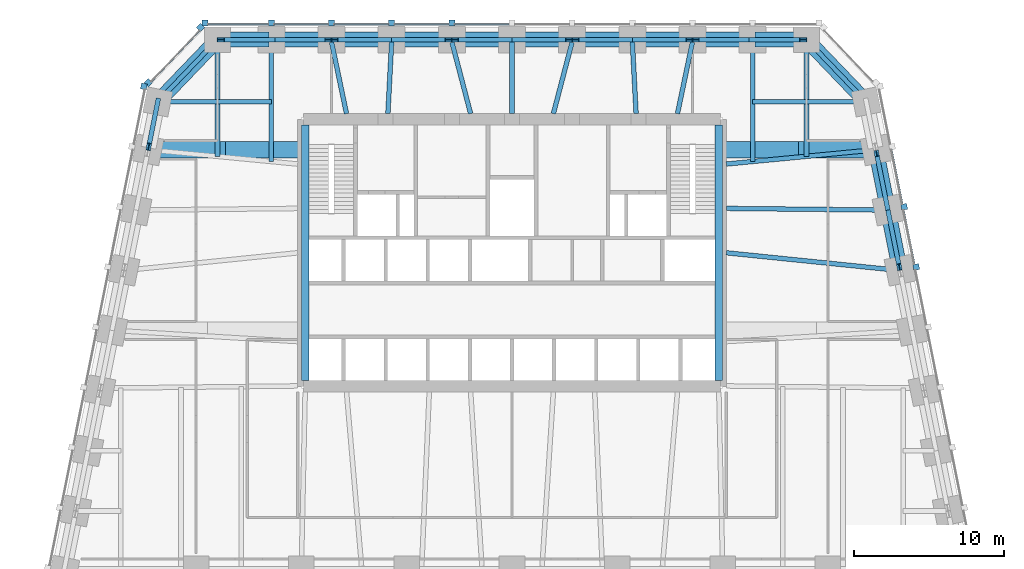
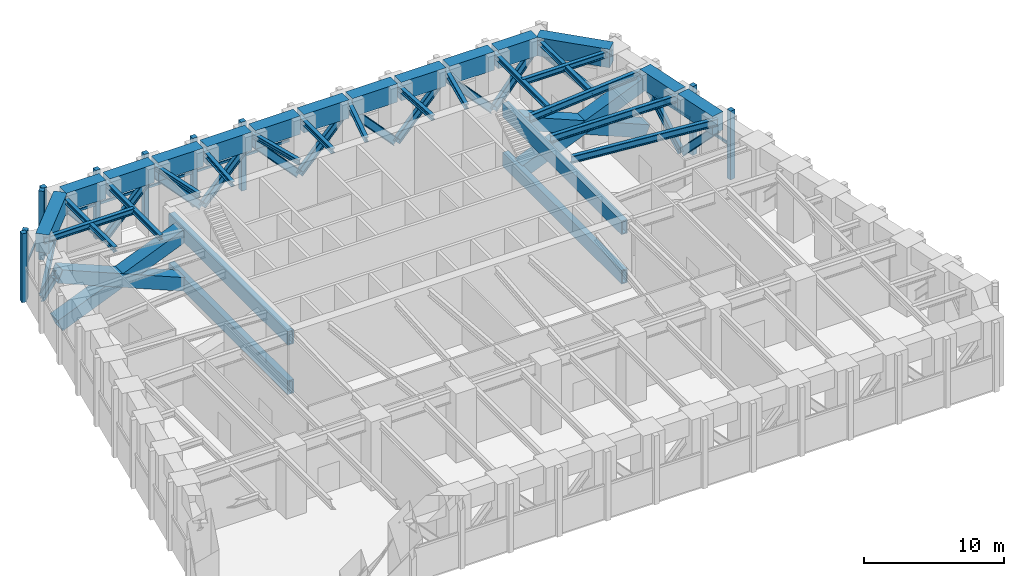
# One storey, part 4 of 9: 37 members, 34 beams, 4 elements without a shape of their own.
"""IFC4 building model written with IfcOpenShell, lengths in metres."""

from ifc_helpers import new_model, si_unit, direction, frame, origin, origin_2d, place, context, subcontext, project, spatial, rectangle, hollow_rectangle, i_section, extrude, material, material_profile, profile_set, type_object, element, aggregate, save


model = new_model("IFC4")

# Units and contexts
model_context = context("Model", 3, precision=1e-05, world=origin(), true_north=direction((0.0, 1.0)))
body_context = subcontext(model_context, "Body", "Model", "MODEL_VIEW")
ifc_project = project(units=[si_unit("LENGTHUNIT", "METRE"), si_unit("AREAUNIT", "SQUARE_METRE"), si_unit("VOLUMEUNIT", "CUBIC_METRE"), si_unit("PLANEANGLEUNIT", "RADIAN"), si_unit("MASSUNIT", "GRAM", prefix="KILO")], contexts=[model_context])

# Site, building, storey
site_placement = place(None, origin())
site = spatial("IfcSite", under=ifc_project, at=site_placement, CompositionType="ELEMENT")
building_placement = place(site_placement, origin())
building = spatial("IfcBuilding", under=site, at=building_placement, Name="Isbrekke Arena Tower", CompositionType="ELEMENT")
storey_placement = place(building_placement, frame((0.0, 0.0, 167.0)))
storey = spatial("IfcBuildingStorey", under=building, at=storey_placement, Name="L38", CompositionType="ELEMENT", Elevation=167.0)

# Beams
ifc_material_1 = material(Name="Steel S355", Category="steel")
ifc_material_profile_1 = material_profile(ifc_material_1, i_section(OverallWidth=0.304931640625, OverallDepth=0.6201171875, WebThickness=0.02099609375, FlangeThickness=0.0400390625, FilletRadius=0.027099609375, at=origin_2d()), Name="HEM 600")
ifc_profile_set_1 = profile_set([ifc_material_profile_1], Name="Steel S355")
beam_type_1 = type_object("IfcBeamType", Name="B4 HEM 600", PredefinedType="BEAM", material=ifc_profile_set_1)
beam_1_placement = place(storey_placement, frame((25.625732421875, 13.83984375, 5.489990234375), z_axis=(-0.994839729543, 0.101458920373, 0.0), x_axis=(-0.101458920373, -0.994839729543, 0.0)))
element("IfcBeam", 1, at=beam_1_placement, inside=storey, type_object=beam_type_1, Name="B4 beam E-E08 L38", PredefinedType="BEAM", context=body_context, shape_type="SweptSolid", body=[
    extrude(i_section(OverallWidth=0.304931640625, OverallDepth=0.6201171875, WebThickness=0.02099609375, FlangeThickness=0.0400390625, FilletRadius=0.027099609375, at=origin_2d()), origin(), (0.0, 0.0, 1.0), 11.434814453125),
])
beam_2_placement = place(storey_placement, frame((24.83935546875, 17.838134765625, 5.489990234375), z_axis=(-0.999944255029, 0.010558732623, 0.0), x_axis=(-0.010558732623, -0.999944255029, 0.0)))
element("IfcBeam", 2, at=beam_2_placement, inside=storey, type_object=beam_type_1, Name="B4 beam E-E09 L38", PredefinedType="BEAM", context=body_context, shape_type="SweptSolid", body=[
    extrude(i_section(OverallWidth=0.304931640625, OverallDepth=0.6201171875, WebThickness=0.02099609375, FlangeThickness=0.0400390625, FilletRadius=0.027099609375, at=origin_2d()), origin(), (0.0, 0.0, 1.0), 10.58984375),
])
beam_3_placement = place(storey_placement, frame((24.026611328125, 21.8369140625, 5.489990234375), z_axis=(-0.995438539788, -0.095404997271, 0.0), x_axis=(0.095404997271, -0.995438539788, 0.0)))
element("IfcBeam", 3, at=beam_3_placement, inside=storey, type_object=beam_type_1, Name="B4 beam E-E10 L38", PredefinedType="BEAM", context=body_context, shape_type="SweptSolid", body=[
    extrude(i_section(OverallWidth=0.304931640625, OverallDepth=0.6201171875, WebThickness=0.02099609375, FlangeThickness=0.0400390625, FilletRadius=0.027099609375, at=origin_2d()), origin(), (0.0, 0.0, 1.0), 9.821533203125),
])
ifc_material_2 = material(Name="Steel S355", Category="steel")
ifc_material_profile_2 = material_profile(ifc_material_2, i_section(OverallWidth=0.305908203125, OverallDepth=0.52392578125, WebThickness=0.02099609375, FlangeThickness=0.0400390625, FilletRadius=0.027099609375, at=origin_2d()), Name="HEM 500")
ifc_profile_set_2 = profile_set([ifc_material_profile_2], Name="Steel S355")
beam_type_2 = type_object("IfcBeamType", Name="B5 HEM 500", PredefinedType="BEAM", material=ifc_profile_set_2)
for number, where, z_axis, x_axis, name in (
    (4, (23.40283203125, 25.029296875, 5.5380859375), (-1.0, 0.0, 0.0), (0.0, -1.0, 0.0), "B5 beam E-E11 L38"),
    (5, (-23.40283203125, 25.029296875, 5.5380859375), (1.0, 0.0, 0.0), (0.0, 1.0, 0.0), "B5 beam E-W01 L38"),
):
    element("IfcBeam", number, at=place(storey_placement, frame(where, z_axis=z_axis, x_axis=x_axis)), inside=storey, type_object=beam_type_2, Name=name, PredefinedType="BEAM", context=body_context, shape_type="SweptSolid", body=[
        extrude(i_section(OverallWidth=0.305908203125, OverallDepth=0.52392578125, WebThickness=0.02099609375, FlangeThickness=0.0400390625, FilletRadius=0.027099609375, at=origin_2d()), origin(), (0.0, 0.0, 1.0), 7.40283203125),
    ])
ifc_material_3 = material(Name="Steel S355", Category="steel")
ifc_material_profile_3 = material_profile(ifc_material_3, i_section(OverallWidth=0.306884765625, OverallDepth=0.431884765625, WebThickness=0.02099609375, FlangeThickness=0.0400390625, FilletRadius=0.027099609375, at=origin_2d()), Name="HEM 400")
ifc_profile_set_3 = profile_set([ifc_material_profile_3], Name="Steel S355")
beam_type_3 = type_object("IfcBeamType", Name="B6 HEM 400", PredefinedType="BEAM", material=ifc_profile_set_3)
beam_4_placement = place(storey_placement, frame((19.574951171875, 29.02490234375, 5.583984375), z_axis=(0.0, -1.0, 0.0), x_axis=(1.0, 0.0, 0.0)))
element("IfcBeam", 6, at=beam_4_placement, inside=storey, type_object=beam_type_3, Name="B6 beam N-N01 L38", PredefinedType="BEAM", context=body_context, shape_type="SweptSolid", body=[
    extrude(i_section(OverallWidth=0.306884765625, OverallDepth=0.431884765625, WebThickness=0.02099609375, FlangeThickness=0.0400390625, FilletRadius=0.027099609375, at=origin_2d()), origin(), (0.0, 0.0, 1.0), 7.61474609375),
])
for number, where, z_axis, x_axis, name in (
    (7, (16.0, 29.02490234375, 5.583984375), (0.0, -1.0, 0.0), (1.0, 0.0, 0.0), "B6 beam N-N02 L38"),
    (8, (-16.0, 29.02490234375, 5.583984375), (0.0, -1.0, 0.0), (1.0, 0.0, 0.0), "B6 beam N-N10 L38"),
):
    element("IfcBeam", number, at=place(storey_placement, frame(where, z_axis=z_axis, x_axis=x_axis)), inside=storey, type_object=beam_type_3, Name=name, PredefinedType="BEAM", context=body_context, shape_type="SweptSolid", body=[
        extrude(i_section(OverallWidth=0.306884765625, OverallDepth=0.431884765625, WebThickness=0.02099609375, FlangeThickness=0.0400390625, FilletRadius=0.027099609375, at=origin_2d()), origin(), (0.0, 0.0, 1.0), 7.957275390625),
    ])
beam_5_placement = place(storey_placement, frame((-19.574951171875, 29.02490234375, 5.583984375), z_axis=(0.0, -1.0, 0.0), x_axis=(1.0, 0.0, 0.0)))
element("IfcBeam", 9, at=beam_5_placement, inside=storey, type_object=beam_type_3, Name="B6 beam N-N11 L38", PredefinedType="BEAM", context=body_context, shape_type="SweptSolid", body=[
    extrude(i_section(OverallWidth=0.306884765625, OverallDepth=0.431884765625, WebThickness=0.02099609375, FlangeThickness=0.0400390625, FilletRadius=0.027099609375, at=origin_2d()), origin(), (0.0, 0.0, 1.0), 7.61474609375),
])
beam_6_placement = place(storey_placement, frame((11.99365234375, 28.994140625, 5.583984375), z_axis=(-0.205000060664, -0.978761960401, 0.0), x_axis=(0.978761960401, -0.205000060664, 0.0)))
element("IfcBeam", 10, at=beam_6_placement, inside=storey, type_object=beam_type_3, Name="B6 beam N-N03 L38", PredefinedType="BEAM", context=body_context, shape_type="SweptSolid", body=[
    extrude(i_section(OverallWidth=0.306884765625, OverallDepth=0.431884765625, WebThickness=0.02099609375, FlangeThickness=0.0400390625, FilletRadius=0.027099609375, at=origin_2d()), origin(), (0.0, 0.0, 1.0), 4.84716796875),
])
beam_7_placement = place(storey_placement, frame((8.00048828125, 29.01708984375, 5.583984375), z_axis=(0.052268922084, -0.99863304561, 0.0), x_axis=(0.99863304561, 0.052268922084, 0.0)))
element("IfcBeam", 11, at=beam_7_placement, inside=storey, type_object=beam_type_3, Name="B6 beam N-N04 L38", PredefinedType="BEAM", context=body_context, shape_type="SweptSolid", body=[
    extrude(i_section(OverallWidth=0.306884765625, OverallDepth=0.431884765625, WebThickness=0.02099609375, FlangeThickness=0.0400390625, FilletRadius=0.027099609375, at=origin_2d()), origin(), (0.0, 0.0, 1.0), 4.773681640625),
])
beam_8_placement = place(storey_placement, frame((3.990234375, 28.9873046875, 5.583984375), z_axis=(-0.253266080154, -0.967396657346, 0.0), x_axis=(0.967396657346, -0.253266080154, 0.0)))
element("IfcBeam", 12, at=beam_8_placement, inside=storey, type_object=beam_type_3, Name="B6 beam N-N05 L38", PredefinedType="BEAM", context=body_context, shape_type="SweptSolid", body=[
    extrude(i_section(OverallWidth=0.306884765625, OverallDepth=0.431884765625, WebThickness=0.02099609375, FlangeThickness=0.0400390625, FilletRadius=0.027099609375, at=origin_2d()), origin(), (0.0, 0.0, 1.0), 4.89697265625),
])
beam_9_placement = place(storey_placement, frame((0.0, 29.02490234375, 5.583984375), z_axis=(0.0, -1.0, 0.0), x_axis=(1.0, 0.0, 0.0)))
element("IfcBeam", 13, at=beam_9_placement, inside=storey, type_object=beam_type_3, Name="B6 beam N-N06 L38", PredefinedType="BEAM", context=body_context, shape_type="SweptSolid", body=[
    extrude(i_section(OverallWidth=0.306884765625, OverallDepth=0.431884765625, WebThickness=0.02099609375, FlangeThickness=0.0400390625, FilletRadius=0.027099609375, at=origin_2d()), origin(), (0.0, 0.0, 1.0), 4.77490234375),
])
beam_10_placement = place(storey_placement, frame((-3.990234375, 28.9873046875, 5.583984375), z_axis=(0.253266080154, -0.967396657346, 0.0), x_axis=(0.967396657346, 0.253266080154, 0.0)))
element("IfcBeam", 14, at=beam_10_placement, inside=storey, type_object=beam_type_3, Name="B6 beam N-N07 L38", PredefinedType="BEAM", context=body_context, shape_type="SweptSolid", body=[
    extrude(i_section(OverallWidth=0.306884765625, OverallDepth=0.431884765625, WebThickness=0.02099609375, FlangeThickness=0.0400390625, FilletRadius=0.027099609375, at=origin_2d()), origin(), (0.0, 0.0, 1.0), 4.89697265625),
])
beam_11_placement = place(storey_placement, frame((-8.00048828125, 29.01708984375, 5.583984375), z_axis=(-0.052268922084, -0.99863304561, 0.0), x_axis=(0.99863304561, -0.052268922084, 0.0)))
element("IfcBeam", 15, at=beam_11_placement, inside=storey, type_object=beam_type_3, Name="B6 beam N-N08 L38", PredefinedType="BEAM", context=body_context, shape_type="SweptSolid", body=[
    extrude(i_section(OverallWidth=0.306884765625, OverallDepth=0.431884765625, WebThickness=0.02099609375, FlangeThickness=0.0400390625, FilletRadius=0.027099609375, at=origin_2d()), origin(), (0.0, 0.0, 1.0), 4.773681640625),
])
beam_12_placement = place(storey_placement, frame((-11.99365234375, 28.994140625, 5.583984375), z_axis=(0.205000060664, -0.978761960401, 0.0), x_axis=(0.978761960401, 0.205000060664, 0.0)))
element("IfcBeam", 16, at=beam_12_placement, inside=storey, type_object=beam_type_3, Name="B6 beam N-N09 L38", PredefinedType="BEAM", context=body_context, shape_type="SweptSolid", body=[
    extrude(i_section(OverallWidth=0.306884765625, OverallDepth=0.431884765625, WebThickness=0.02099609375, FlangeThickness=0.0400390625, FilletRadius=0.027099609375, at=origin_2d()), origin(), (0.0, 0.0, 1.0), 4.84716796875),
])

# Members
ifc_material_4 = material(Name="Steel S355", Category="steel")
ifc_material_profile_4 = material_profile(ifc_material_4, i_section(OverallWidth=0.304931640625, OverallDepth=0.6201171875, WebThickness=0.02099609375, FlangeThickness=0.0400390625, FilletRadius=0.027099609375, at=origin_2d()), Name="HEM 600")
ifc_profile_set_4 = profile_set([ifc_material_profile_4], Name="Steel S355")
member_type_1 = type_object("IfcMemberType", Name="BT1 HEM 600", PredefinedType="BRACE", material=ifc_profile_set_4)
for number, where, z_axis, x_axis, name in (
    (17, (25.748046875, 14.052734375, 4.66943359375), (-0.134973713861, 0.674868569303, -0.725489152734), (-0.980580675691, -0.196116135138, 0.0), "BT1 belt truss diagonal E08 L38"),
    (18, (24.990966796875, 17.838134765625, 0.60009765625), (-0.134973713861, 0.674868569303, 0.725489152734), (-0.980580675691, -0.196116135138, 0.0), "BT1 belt truss diagonal E09 L38"),
):
    element("IfcMember", number, at=place(storey_placement, frame(where, z_axis=z_axis, x_axis=x_axis)), inside=storey, type_object=member_type_1, Name=name, PredefinedType="BRACE", context=body_context, shape_type="SweptSolid", body=[
        extrude(i_section(OverallWidth=0.304931640625, OverallDepth=0.6201171875, WebThickness=0.02099609375, FlangeThickness=0.0400390625, FilletRadius=0.027099609375, at=origin_2d()), origin(), (0.0, 0.0, 1.0), 5.609130859375),
    ])
member_1_placement = place(storey_placement, frame((23.552734375, 25.029296875, 0.60009765625), z_axis=(-0.554282836037, 0.577708728276, 0.599185416168), x_axis=(-0.721585439536, -0.692325395641, 0.0)))
element("IfcMember", 19, at=member_1_placement, inside=storey, type_object=member_type_1, Name="BT1 belt truss diagonal E11 L38", PredefinedType="BRACE", context=body_context, shape_type="SweptSolid", body=[
    extrude(i_section(OverallWidth=0.304931640625, OverallDepth=0.6201171875, WebThickness=0.02099609375, FlangeThickness=0.0400390625, FilletRadius=0.027099609375, at=origin_2d()), origin(), (0.0, 0.0, 1.0), 6.888916015625),
])
member_2_placement = place(storey_placement, frame((19.361083984375, 29.175048828125, 4.642578125), z_axis=(-0.639325259452, 0.0, -0.768936416504), x_axis=(0.0, -1.0, 0.0)))
element("IfcMember", 20, at=member_2_placement, inside=storey, type_object=member_type_1, Name="BT1 belt truss diagonal N01 L38", PredefinedType="BRACE", context=body_context, shape_type="SweptSolid", body=[
    extrude(i_section(OverallWidth=0.304931640625, OverallDepth=0.6201171875, WebThickness=0.02099609375, FlangeThickness=0.0400390625, FilletRadius=0.027099609375, at=origin_2d()), origin(), (0.0, 0.0, 1.0), 5.25732421875),
])
for number, where, z_axis, x_axis, name in (
    (21, (16.0, 29.175048828125, 0.60009765625), (-0.681122032107, 0.0, 0.732169910183), (0.0, -1.0, 0.0), "BT1 belt truss diagonal N02 L38"),
    (22, (11.781982421875, 29.175048828125, 4.66552734375), (-0.681122032107, 0.0, -0.732169910183), (0.0, -1.0, 0.0), "BT1 belt truss diagonal N03 L38"),
    (23, (8.0, 29.175048828125, 0.60009765625), (-0.681122032107, 0.0, 0.732169910183), (0.0, -1.0, 0.0), "BT1 belt truss diagonal N04 L38"),
    (24, (3.781982421875, 29.175048828125, 4.66552734375), (-0.681122032107, 0.0, -0.732169910183), (0.0, -1.0, 0.0), "BT1 belt truss diagonal N05 L38"),
    (25, (0.0, 29.175048828125, 0.60009765625), (-0.681122032107, 0.0, 0.732169910183), (0.0, -1.0, 0.0), "BT1 belt truss diagonal N06 L38"),
    (26, (-4.218017578125, 29.175048828125, 4.66552734375), (-0.681122032107, 0.0, -0.732169910183), (0.0, -1.0, 0.0), "BT1 belt truss diagonal N07 L38"),
    (27, (-8.0, 29.175048828125, 0.60009765625), (-0.681122032107, 0.0, 0.732169910183), (0.0, -1.0, 0.0), "BT1 belt truss diagonal N08 L38"),
    (28, (-12.218017578125, 29.175048828125, 4.66552734375), (-0.681122032107, 0.0, -0.732169910183), (0.0, -1.0, 0.0), "BT1 belt truss diagonal N09 L38"),
):
    element("IfcMember", number, at=place(storey_placement, frame(where, z_axis=z_axis, x_axis=x_axis)), inside=storey, type_object=member_type_1, Name=name, PredefinedType="BRACE", context=body_context, shape_type="SweptSolid", body=[
        extrude(i_section(OverallWidth=0.304931640625, OverallDepth=0.6201171875, WebThickness=0.02099609375, FlangeThickness=0.0400390625, FilletRadius=0.027099609375, at=origin_2d()), origin(), (0.0, 0.0, 1.0), 5.552490234375),
    ])
member_3_placement = place(storey_placement, frame((-16.0, 29.175048828125, 0.60009765625), z_axis=(-0.639325259452, 0.0, 0.768936416504), x_axis=(0.0, -1.0, 0.0)))
element("IfcMember", 29, at=member_3_placement, inside=storey, type_object=member_type_1, Name="BT1 belt truss diagonal N10 L38", PredefinedType="BRACE", context=body_context, shape_type="SweptSolid", body=[
    extrude(i_section(OverallWidth=0.304931640625, OverallDepth=0.6201171875, WebThickness=0.02099609375, FlangeThickness=0.0400390625, FilletRadius=0.027099609375, at=origin_2d()), origin(), (0.0, 0.0, 1.0), 5.25732421875),
])
member_4_placement = place(storey_placement, frame((-19.734375, 29.009033203125, 4.727783203125), z_axis=(-0.554282836037, -0.577708728276, -0.599185416168), x_axis=(0.721585439536, -0.692325395641, 0.0)))
element("IfcMember", 30, at=member_4_placement, inside=storey, type_object=member_type_1, Name="BT1 belt truss diagonal N11 L38", PredefinedType="BRACE", context=body_context, shape_type="SweptSolid", body=[
    extrude(i_section(OverallWidth=0.304931640625, OverallDepth=0.6201171875, WebThickness=0.02099609375, FlangeThickness=0.0400390625, FilletRadius=0.027099609375, at=origin_2d()), origin(), (0.0, 0.0, 1.0), 6.888916015625),
])
member_5_placement = place(storey_placement, frame((-23.552734375, 25.029296875, 0.60009765625), z_axis=(-0.118343216485, -0.591764484557, 0.797376747798), x_axis=(0.980583760369, -0.196100711116, 0.0)))
element("IfcMember", 31, at=member_5_placement, inside=storey, type_object=member_type_1, Name="BT1 belt truss diagonal W01 L38", PredefinedType="BRACE", context=body_context, shape_type="SweptSolid", body=[
    extrude(i_section(OverallWidth=0.304931640625, OverallDepth=0.6201171875, WebThickness=0.02099609375, FlangeThickness=0.0400390625, FilletRadius=0.027099609375, at=origin_2d()), origin(), (0.0, 0.0, 1.0), 5.0439453125),
])

# Curtain wall, members
ifc_material_5 = material(Name="Glazed aluminium curtain wall", Category="aluminium")
curtain_wall_type = type_object("IfcCurtainWallType", Name="CWR PLANT LOUVRE WALL", PredefinedType="USERDEFINED", material=ifc_material_5)
curtain_wall_1_placement = place(storey_placement, origin())
curtain_wall_1 = element("IfcCurtainWall", 32, at=curtain_wall_1_placement, inside=storey, type_object=curtain_wall_type, Name="CWR curtain wall L38-E", ObjectType="PLANT LOUVRE WALL", PredefinedType="USERDEFINED")
ifc_material_6 = material(Name="Aluminium mullion, pale brick slip cladding", Category="masonry")
ifc_material_profile_5 = material_profile(ifc_material_6, rectangle(XDim=0.39990234375, YDim=0.39990234375, at=origin_2d()), Name="PIER 400X400")
ifc_profile_set_5 = profile_set([ifc_material_profile_5], Name="Aluminium mullion, pale brick slip cladding")
member_type_2 = type_object("IfcMemberType", Name="CWR-M PIER MULLION 400 x 400", PredefinedType="MULLION", material=ifc_profile_set_5)
member_6_placement = place(storey_placement, frame((26.86962890625, 14.053955078125, 0.0), z_axis=(0.0, 0.0, 1.0), x_axis=(-0.196116135138, 0.980580675691, 0.0)))
member_6 = element("IfcMember", 33, at=member_6_placement, type_object=member_type_2, Name="CWR-M mullion 8", PredefinedType="MULLION", context=body_context, shape_type="SweptSolid", body=[
    extrude(rectangle(XDim=0.39990234375, YDim=0.39990234375, at=origin_2d()), origin(), (0.0, 0.0, 1.0), 6.0),
])
member_7_placement = place(storey_placement, frame((26.069580078125, 18.053955078125, 0.0), z_axis=(0.0, 0.0, 1.0), x_axis=(-0.196116135138, 0.980580675691, 0.0)))
member_7 = element("IfcMember", 34, at=member_7_placement, type_object=member_type_2, Name="CWR-M mullion 9", PredefinedType="MULLION", context=body_context, shape_type="SweptSolid", body=[
    extrude(rectangle(XDim=0.39990234375, YDim=0.39990234375, at=origin_2d()), origin(), (0.0, 0.0, 1.0), 6.0),
])

curtain_wall_2_placement = place(storey_placement, origin())
curtain_wall_2 = element("IfcCurtainWall", 35, at=curtain_wall_2_placement, inside=storey, type_object=curtain_wall_type, Name="CWR curtain wall L38-N", ObjectType="PLANT LOUVRE WALL", PredefinedType="USERDEFINED")
member_8_placement = place(storey_placement, frame((-4.0, 30.27490234375, 0.0), z_axis=(0.0, 0.0, 1.0), x_axis=(-1.0, 0.0, 0.0)))
member_8 = element("IfcMember", 36, at=member_8_placement, type_object=member_type_2, Name="CWR-M mullion 7", PredefinedType="MULLION", context=body_context, shape_type="SweptSolid", body=[
    extrude(rectangle(XDim=0.39990234375, YDim=0.39990234375, at=origin_2d()), origin(), (0.0, 0.0, 1.0), 6.0),
])
member_9_placement = place(storey_placement, frame((-8.0, 30.27490234375, 0.0), z_axis=(0.0, 0.0, 1.0), x_axis=(-1.0, 0.0, 0.0)))
member_9 = element("IfcMember", 37, at=member_9_placement, type_object=member_type_2, Name="CWR-M mullion 8", PredefinedType="MULLION", context=body_context, shape_type="SweptSolid", body=[
    extrude(rectangle(XDim=0.39990234375, YDim=0.39990234375, at=origin_2d()), origin(), (0.0, 0.0, 1.0), 6.0),
])
member_10_placement = place(storey_placement, frame((-12.0, 30.27490234375, 0.0), z_axis=(0.0, 0.0, 1.0), x_axis=(-1.0, 0.0, 0.0)))
member_10 = element("IfcMember", 38, at=member_10_placement, type_object=member_type_2, Name="CWR-M mullion 9", PredefinedType="MULLION", context=body_context, shape_type="SweptSolid", body=[
    extrude(rectangle(XDim=0.39990234375, YDim=0.39990234375, at=origin_2d()), origin(), (0.0, 0.0, 1.0), 6.0),
])
member_11_placement = place(storey_placement, frame((-16.0, 30.27490234375, 0.0), z_axis=(0.0, 0.0, 1.0), x_axis=(-1.0, 0.0, 0.0)))
member_11 = element("IfcMember", 39, at=member_11_placement, type_object=member_type_2, Name="CWR-M mullion 10", PredefinedType="MULLION", context=body_context, shape_type="SweptSolid", body=[
    extrude(rectangle(XDim=0.39990234375, YDim=0.39990234375, at=origin_2d()), origin(), (0.0, 0.0, 1.0), 6.0),
])
member_12_placement = place(storey_placement, frame((-20.39990234375, 30.27490234375, 0.0), z_axis=(0.0, 0.0, 1.0), x_axis=(-1.0, 0.0, 0.0)))
member_12 = element("IfcMember", 40, at=member_12_placement, type_object=member_type_2, Name="CWR-M mullion 11", PredefinedType="MULLION", context=body_context, shape_type="SweptSolid", body=[
    extrude(rectangle(XDim=0.39990234375, YDim=0.39990234375, at=origin_2d()), origin(), (0.0, 0.0, 1.0), 6.0),
])

curtain_wall_3_placement = place(storey_placement, origin())
curtain_wall_3 = element("IfcCurtainWall", 41, at=curtain_wall_3_placement, inside=storey, type_object=curtain_wall_type, Name="CWR curtain wall L38-NW", ObjectType="PLANT LOUVRE WALL", PredefinedType="USERDEFINED")
member_13_placement = place(storey_placement, frame((-20.70556640625, 29.96875, 0.0), z_axis=(0.0, 0.0, 1.0), x_axis=(-0.68874946192, -0.72499943359, 0.0)))
member_13 = element("IfcMember", 42, at=member_13_placement, type_object=member_type_2, Name="CWR-M mullion 1", PredefinedType="MULLION", context=body_context, shape_type="SweptSolid", body=[
    extrude(rectangle(XDim=0.39990234375, YDim=0.39990234375, at=origin_2d()), origin(), (0.0, 0.0, 1.0), 6.0),
])
member_14_placement = place(storey_placement, frame((-24.188720703125, 26.30224609375, 0.0), z_axis=(0.0, 0.0, 1.0), x_axis=(-0.68874946192, -0.72499943359, 0.0)))
member_14 = element("IfcMember", 43, at=member_14_placement, type_object=member_type_2, Name="CWR-M mullion 2", PredefinedType="MULLION", context=body_context, shape_type="SweptSolid", body=[
    extrude(rectangle(XDim=0.39990234375, YDim=0.39990234375, at=origin_2d()), origin(), (0.0, 0.0, 1.0), 6.0),
])

# Curtain wall, member
curtain_wall_4_placement = place(storey_placement, origin())
curtain_wall_4 = element("IfcCurtainWall", 44, at=curtain_wall_4_placement, inside=storey, type_object=curtain_wall_type, Name="CWR curtain wall L38-W", ObjectType="PLANT LOUVRE WALL", PredefinedType="USERDEFINED")
member_15_placement = place(storey_placement, frame((-24.4697265625, 26.053955078125, 0.0), z_axis=(0.0, 0.0, 1.0), x_axis=(-0.196116135138, -0.980580675691, 0.0)))
member_15 = element("IfcMember", 45, at=member_15_placement, type_object=member_type_2, Name="CWR-M mullion 1", PredefinedType="MULLION", context=body_context, shape_type="SweptSolid", body=[
    extrude(rectangle(XDim=0.39990234375, YDim=0.39990234375, at=origin_2d()), origin(), (0.0, 0.0, 1.0), 6.0),
])
aggregate(curtain_wall_4, [member_15])

# Member
ifc_material_7 = material(Name="Aluminium transom", Category="aluminium")
ifc_material_profile_6 = material_profile(ifc_material_7, rectangle(XDim=0.1201171875, YDim=0.199951171875, at=origin_2d()), Name="TRANSOM 120X200")
ifc_profile_set_6 = profile_set([ifc_material_profile_6], Name="Aluminium transom")
member_type_3 = type_object("IfcMemberType", Name="CWR-T TRANSOM 120 x 200", PredefinedType="USERDEFINED", material=ifc_profile_set_6)
member_16_placement = place(storey_placement, frame((26.732421875, 14.23046875, 3.0), z_axis=(-0.196154418484, 0.980573018245, 0.0), x_axis=(-0.980573018245, -0.196154418484, 0.0)))
member_16 = element("IfcMember", 46, at=member_16_placement, type_object=member_type_3, Name="CWR-T transom 8", ObjectType="TRANSOM", PredefinedType="USERDEFINED", context=body_context, shape_type="SweptSolid", body=[
    extrude(rectangle(XDim=0.1201171875, YDim=0.199951171875, at=origin_2d()), origin(), (0.0, 0.0, 1.0), 3.67919921875),
])

member_17_placement = place(storey_placement, frame((25.932373046875, 18.23046875, 3.0), z_axis=(-0.19609061241, 0.980585779891, 0.0), x_axis=(-0.980585779891, -0.19609061241, 0.0)))
member_17 = element("IfcMember", 47, at=member_17_placement, type_object=member_type_3, Name="CWR-T transom 9", ObjectType="TRANSOM", PredefinedType="USERDEFINED", context=body_context, shape_type="SweptSolid", body=[
    extrude(rectangle(XDim=0.1201171875, YDim=0.199951171875, at=origin_2d()), origin(), (0.0, 0.0, 1.0), 3.67919921875),
])

aggregate(curtain_wall_1, [member_6, member_7, member_16, member_17])

member_18_placement = place(storey_placement, frame((-0.199951171875, 30.175048828125, 3.0), z_axis=(-1.0, 0.0, 0.0), x_axis=(0.0, -1.0, 0.0)))
member_18 = element("IfcMember", 48, at=member_18_placement, type_object=member_type_3, Name="CWR-T transom 6", ObjectType="TRANSOM", PredefinedType="USERDEFINED", context=body_context, shape_type="SweptSolid", body=[
    extrude(rectangle(XDim=0.1201171875, YDim=0.199951171875, at=origin_2d()), origin(), (0.0, 0.0, 1.0), 3.60009765625),
])

member_19_placement = place(storey_placement, frame((-4.199951171875, 30.175048828125, 3.0), z_axis=(-1.0, 0.0, 0.0), x_axis=(0.0, -1.0, 0.0)))
member_19 = element("IfcMember", 49, at=member_19_placement, type_object=member_type_3, Name="CWR-T transom 7", ObjectType="TRANSOM", PredefinedType="USERDEFINED", context=body_context, shape_type="SweptSolid", body=[
    extrude(rectangle(XDim=0.1201171875, YDim=0.199951171875, at=origin_2d()), origin(), (0.0, 0.0, 1.0), 3.60009765625),
])

member_20_placement = place(storey_placement, frame((-8.199951171875, 30.175048828125, 3.0), z_axis=(-1.0, 0.0, 0.0), x_axis=(0.0, -1.0, 0.0)))
member_20 = element("IfcMember", 50, at=member_20_placement, type_object=member_type_3, Name="CWR-T transom 8", ObjectType="TRANSOM", PredefinedType="USERDEFINED", context=body_context, shape_type="SweptSolid", body=[
    extrude(rectangle(XDim=0.1201171875, YDim=0.199951171875, at=origin_2d()), origin(), (0.0, 0.0, 1.0), 3.60009765625),
])

member_21_placement = place(storey_placement, frame((-12.199951171875, 30.175048828125, 3.0), z_axis=(-1.0, 0.0, 0.0), x_axis=(0.0, -1.0, 0.0)))
member_21 = element("IfcMember", 51, at=member_21_placement, type_object=member_type_3, Name="CWR-T transom 9", ObjectType="TRANSOM", PredefinedType="USERDEFINED", context=body_context, shape_type="SweptSolid", body=[
    extrude(rectangle(XDim=0.1201171875, YDim=0.199951171875, at=origin_2d()), origin(), (0.0, 0.0, 1.0), 3.60009765625),
])

member_22_placement = place(storey_placement, frame((-16.199951171875, 30.175048828125, 3.0), z_axis=(-1.0, 0.0, 0.0), x_axis=(0.0, -1.0, 0.0)))
member_22 = element("IfcMember", 52, at=member_22_placement, type_object=member_type_3, Name="CWR-T transom 10", ObjectType="TRANSOM", PredefinedType="USERDEFINED", context=body_context, shape_type="SweptSolid", body=[
    extrude(rectangle(XDim=0.1201171875, YDim=0.199951171875, at=origin_2d()), origin(), (0.0, 0.0, 1.0), 4.0),
])

aggregate(curtain_wall_2, [member_8, member_9, member_10, member_11, member_12, member_18, member_19, member_20, member_21, member_22])

member_23_placement = place(storey_placement, frame((-20.770751953125, 29.7548828125, 3.0), z_axis=(-0.688763238737, -0.724986345364, 0.0), x_axis=(0.724986345364, -0.688763238737, 0.0)))
member_23 = element("IfcMember", 53, at=member_23_placement, type_object=member_type_3, Name="CWR-T transom 1", ObjectType="TRANSOM", PredefinedType="USERDEFINED", context=body_context, shape_type="SweptSolid", body=[
    extrude(rectangle(XDim=0.1201171875, YDim=0.199951171875, at=origin_2d()), origin(), (0.0, 0.0, 1.0), 4.6572265625),
])

aggregate(curtain_wall_3, [member_13, member_14, member_23])

# Beams
ifc_material_8 = material(Name="Steel S460", Category="steel")
ifc_material_profile_7 = material_profile(ifc_material_8, hollow_rectangle(XDim=0.5, YDim=1.199951171875, WallThickness=0.10009765625, at=origin_2d()), Name="BOX 500x1200x100")
ifc_profile_set_7 = profile_set([ifc_material_profile_7], Name="Steel S460")
beam_type_4 = type_object("IfcBeamType", Name="OC1 BOX 500x1200x100", PredefinedType="BEAM", material=ifc_profile_set_7)
for number, where, z_axis, x_axis, name in (
    (54, (13.75, 6.5, 0.60009765625), (0.0, 1.0, 0.0), (-1.0, 0.0, 0.0), "OC1 outrigger cap beam E L38 1"),
    (55, (13.75, 6.5, 4.89990234375), (0.0, 1.0, 0.0), (-1.0, 0.0, 0.0), "OC1 outrigger cap beam E L38 2"),
    (56, (-13.75, 6.5, 0.60009765625), (0.0, 1.0, 0.0), (-1.0, 0.0, 0.0), "OC1 outrigger cap beam W L38 1"),
    (57, (-13.75, 6.5, 4.89990234375), (0.0, 1.0, 0.0), (-1.0, 0.0, 0.0), "OC1 outrigger cap beam W L38 2"),
):
    element("IfcBeam", number, at=place(storey_placement, frame(where, z_axis=z_axis, x_axis=x_axis)), inside=storey, type_object=beam_type_4, Name=name, PredefinedType="BEAM", context=body_context, shape_type="SweptSolid", body=[
        extrude(hollow_rectangle(XDim=0.5, YDim=1.199951171875, WallThickness=0.10009765625, at=origin_2d()), origin(), (0.0, 0.0, 1.0), 16.998046875),
    ])

# Members
ifc_material_9 = material(Name="Steel S460", Category="steel")
ifc_material_profile_8 = material_profile(ifc_material_9, hollow_rectangle(XDim=1.10009765625, YDim=1.10009765625, WallThickness=0.050048828125, at=origin_2d()), Name="BOX 1100x1100x50")
ifc_profile_set_8 = profile_set([ifc_material_profile_8], Name="Steel S460")
member_type_4 = type_object("IfcMemberType", Name="OT1 BOX 1100x1100x50", PredefinedType="BRACE", material=ifc_profile_set_8)
for number, where, z_axis, x_axis, name in (
    (58, (13.875, 21.838134765625, 0.60009765625), (0.923029090103, 0.0, 0.384730163651), (0.0, 1.0, 0.0), "OT1 outrigger E L38 1"),
    (59, (13.875, 21.838134765625, 4.89990234375), (0.923029090103, 0.0, -0.384730163651), (0.0, 1.0, 0.0), "OT1 outrigger E L38 2"),
    (60, (-13.875, 21.838134765625, 0.60009765625), (-0.923029090103, 0.0, 0.384730163651), (0.0, -1.0, 0.0), "OT1 outrigger W L38 1"),
    (61, (-13.875, 21.838134765625, 4.89990234375), (-0.923029090103, 0.0, -0.384730163651), (0.0, -1.0, 0.0), "OT1 outrigger W L38 2"),
):
    element("IfcMember", number, at=place(storey_placement, frame(where, z_axis=z_axis, x_axis=x_axis)), inside=storey, type_object=member_type_4, Name=name, PredefinedType="BRACE", context=body_context, shape_type="SweptSolid", body=[
        extrude(hollow_rectangle(XDim=1.10009765625, YDim=1.10009765625, WallThickness=0.050048828125, at=origin_2d()), origin(), (0.0, 0.0, 1.0), 11.17626953125),
    ])

# Beams
ifc_material_10 = material(Name="Concrete B80 (C80/95)", Category="concrete")
ifc_material_profile_9 = material_profile(ifc_material_10, rectangle(XDim=1.0, YDim=1.60009765625, at=origin_2d()), Name="RC 1000x1600")
ifc_profile_set_9 = profile_set([ifc_material_profile_9], Name="Concrete B80 (C80/95)")
beam_type_5 = type_object("IfcBeamType", Name="SB2 RC 1000 x 1600", PredefinedType="SPANDREL", material=ifc_profile_set_9)
for number, where, z_axis, x_axis, name in (
    (62, (25.76171875, 13.9853515625, 5.199951171875), (-0.196128558387, 0.980578190959, 0.0), (-0.980578190959, -0.196128558387, 0.0), "SB2 spandrel E08-E09 L38"),
    (63, (24.961669921875, 17.9853515625, 5.199951171875), (-0.196128558387, 0.980578190959, 0.0), (-0.980578190959, -0.196128558387, 0.0), "SB2 spandrel E09-E10 L38"),
):
    element("IfcBeam", number, at=place(storey_placement, frame(where, z_axis=z_axis, x_axis=x_axis)), inside=storey, type_object=beam_type_5, Name=name, PredefinedType="SPANDREL", context=body_context, shape_type="SweptSolid", body=[
        extrude(rectangle(XDim=1.0, YDim=1.60009765625, at=origin_2d()), origin(), (0.0, 0.0, 1.0), 3.779296875),
    ])
beam_13_placement = place(storey_placement, frame((23.448974609375, 25.137451171875, 5.199951171875), z_axis=(-0.692339547635, 0.721571861134, 0.0), x_axis=(-0.721571861134, -0.692339547635, 0.0)))
element("IfcBeam", 64, at=beam_13_placement, inside=storey, type_object=beam_type_5, Name="SB2 spandrel E11-N01 L38", PredefinedType="SPANDREL", context=body_context, shape_type="SweptSolid", body=[
    extrude(rectangle(XDim=1.0, YDim=1.60009765625, at=origin_2d()), origin(), (0.0, 0.0, 1.0), 5.4453125),
])
beam_14_placement = place(storey_placement, frame((19.425048828125, 29.175048828125, 5.199951171875), z_axis=(-1.0, 0.0, 0.0), x_axis=(0.0, -1.0, 0.0)))
element("IfcBeam", 65, at=beam_14_placement, inside=storey, type_object=beam_type_5, Name="SB2 spandrel N01-N02 L38", PredefinedType="SPANDREL", context=body_context, shape_type="SweptSolid", body=[
    extrude(rectangle(XDim=1.0, YDim=1.60009765625, at=origin_2d()), origin(), (0.0, 0.0, 1.0), 3.275146484375),
])
for number, where, z_axis, x_axis, name in (
    (66, (15.85009765625, 29.175048828125, 5.199951171875), (-1.0, 0.0, 0.0), (0.0, -1.0, 0.0), "SB2 spandrel N02-N03 L38"),
    (67, (11.85009765625, 29.175048828125, 5.199951171875), (-1.0, 0.0, 0.0), (0.0, -1.0, 0.0), "SB2 spandrel N03-N04 L38"),
    (68, (7.85009765625, 29.175048828125, 5.199951171875), (-1.0, 0.0, 0.0), (0.0, -1.0, 0.0), "SB2 spandrel N04-N05 L38"),
    (69, (3.85009765625, 29.175048828125, 5.199951171875), (-1.0, 0.0, 0.0), (0.0, -1.0, 0.0), "SB2 spandrel N05-N06 L38"),
    (70, (-0.14990234375, 29.175048828125, 5.199951171875), (-1.0, 0.0, 0.0), (0.0, -1.0, 0.0), "SB2 spandrel N06-N07 L38"),
    (71, (-4.14990234375, 29.175048828125, 5.199951171875), (-1.0, 0.0, 0.0), (0.0, -1.0, 0.0), "SB2 spandrel N07-N08 L38"),
    (72, (-8.14990234375, 29.175048828125, 5.199951171875), (-1.0, 0.0, 0.0), (0.0, -1.0, 0.0), "SB2 spandrel N08-N09 L38"),
    (73, (-12.14990234375, 29.175048828125, 5.199951171875), (-1.0, 0.0, 0.0), (0.0, -1.0, 0.0), "SB2 spandrel N09-N10 L38"),
):
    element("IfcBeam", number, at=place(storey_placement, frame(where, z_axis=z_axis, x_axis=x_axis)), inside=storey, type_object=beam_type_5, Name=name, PredefinedType="SPANDREL", context=body_context, shape_type="SweptSolid", body=[
        extrude(rectangle(XDim=1.0, YDim=1.60009765625, at=origin_2d()), origin(), (0.0, 0.0, 1.0), 3.7001953125),
    ])
beam_15_placement = place(storey_placement, frame((-16.14990234375, 29.175048828125, 5.199951171875), z_axis=(-1.0, 0.0, 0.0), x_axis=(0.0, -1.0, 0.0)))
element("IfcBeam", 74, at=beam_15_placement, inside=storey, type_object=beam_type_5, Name="SB2 spandrel N10-N11 L38", PredefinedType="SPANDREL", context=body_context, shape_type="SweptSolid", body=[
    extrude(rectangle(XDim=1.0, YDim=1.60009765625, at=origin_2d()), origin(), (0.0, 0.0, 1.0), 3.275146484375),
])
beam_16_placement = place(storey_placement, frame((-19.678955078125, 29.066650390625, 5.199951171875), z_axis=(-0.692339547635, -0.721571861134, 0.0), x_axis=(0.721571861134, -0.692339547635, 0.0)))
element("IfcBeam", 75, at=beam_16_placement, inside=storey, type_object=beam_type_5, Name="SB2 spandrel N11-W01 L38", PredefinedType="SPANDREL", context=body_context, shape_type="SweptSolid", body=[
    extrude(rectangle(XDim=1.0, YDim=1.60009765625, at=origin_2d()), origin(), (0.0, 0.0, 1.0), 5.4453125),
])

save(model, "model.ifc")
